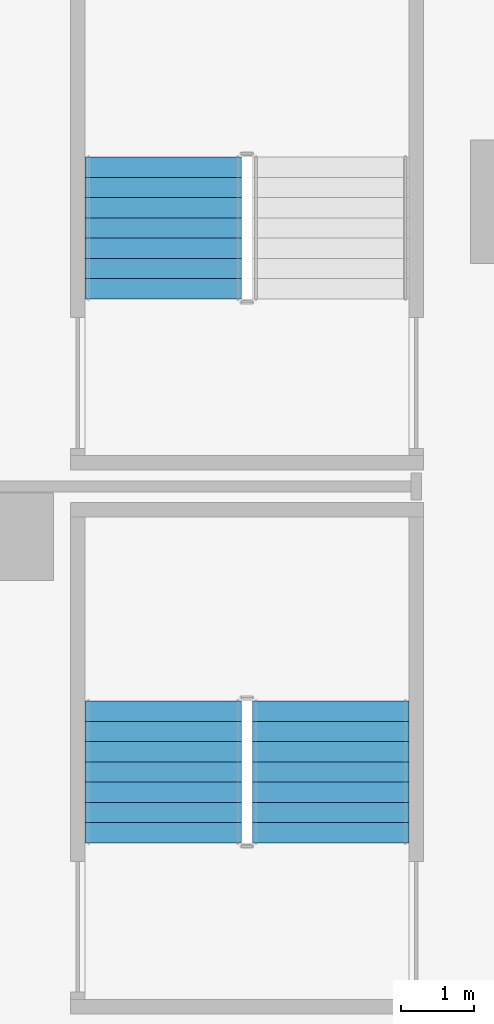
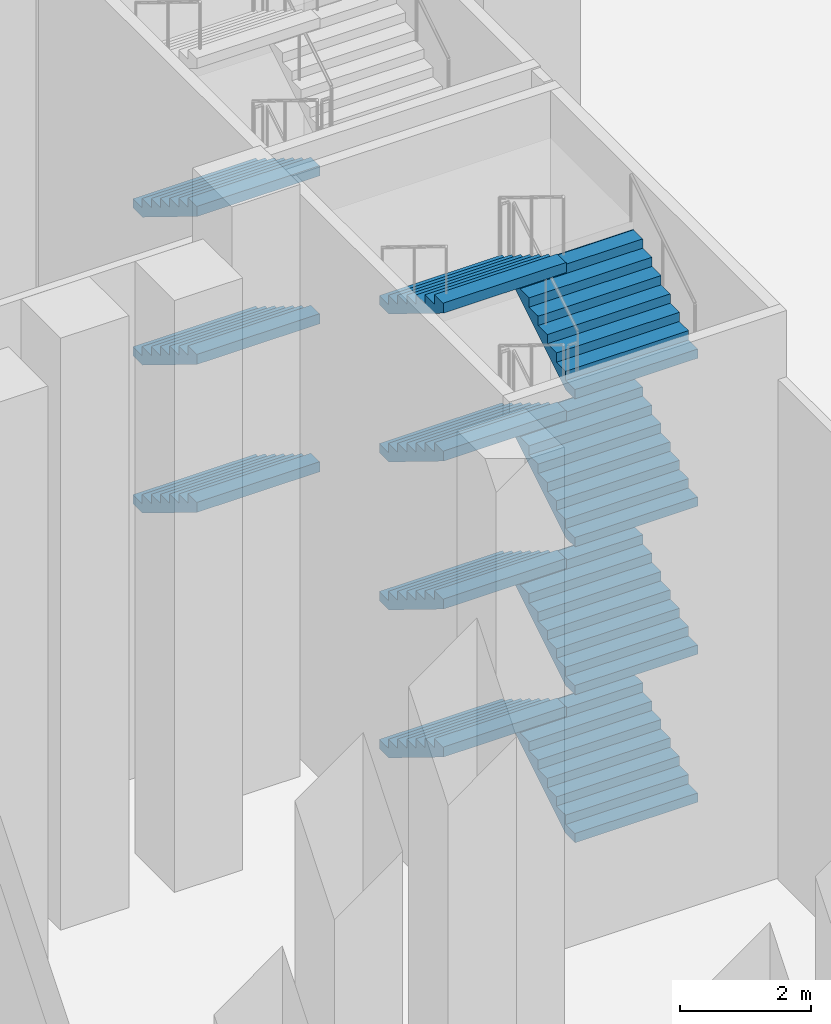
# One storey, part 13 of 31: 11 stair flights, 2 elements without a shape of their own.
"""IFC4 building model written with IfcOpenShell, lengths in metres."""

from ifc_helpers import new_model, si_unit, direction, frame, origin, place, context, subcontext, project, spatial, faceted_brep, source, transform, mapped, material, type_object, element, aggregate, save


model = new_model("IFC4")

# Units and contexts
model_context = context("Model", 3, precision=1e-05, world=origin(), true_north=direction((0.0, 1.0)))
body_context = subcontext(model_context, "Body", "Model", "MODEL_VIEW")
ifc_project = project(units=[si_unit("LENGTHUNIT", "METRE"), si_unit("AREAUNIT", "SQUARE_METRE"), si_unit("VOLUMEUNIT", "CUBIC_METRE"), si_unit("PLANEANGLEUNIT", "RADIAN"), si_unit("MASSUNIT", "GRAM", prefix="KILO")], contexts=[model_context])

# Site, building, storey
site_placement = place(None, origin())
site = spatial("IfcSite", under=ifc_project, at=site_placement, CompositionType="ELEMENT")
building_placement = place(site_placement, origin())
building = spatial("IfcBuilding", under=site, at=building_placement, Name="Calabash Gate Tower", CompositionType="ELEMENT")
storey_placement = place(building_placement, frame((0.0, 0.0, 9.0)))
storey = spatial("IfcBuildingStorey", under=building, at=storey_placement, Name="L01", CompositionType="ELEMENT", Elevation=9.0)

# Stair, stair flights
ifc_material_1 = material(Name="Concrete C40/50", Category="concrete")
stair_type = type_object("IfcStairType", Name="Public stair 64 risers of 171.9 mm", PredefinedType="HALF_TURN_STAIR", material=ifc_material_1)
stair_1_placement = place(storey_placement, origin())
stair_1 = element("IfcStair", 1, at=stair_1_placement, inside=storey, type_object=stair_type, Name="L01 Public Stair PS1", PredefinedType="HALF_TURN_STAIR")
ifc_material_2 = material(Name="Concrete C40/50", Category="concrete")
stair_flight_type = type_object("IfcStairFlightType", Name="Exit stair flight SFL", PredefinedType="STRAIGHT", material=ifc_material_2)
shared_shape = source(origin(), body_context, "Body", "Brep", [
    faceted_brep([(-0.0009765625, -1.080078125, 0.0), (0.285888671875, -1.080078125, 0.0), (1.9541015625, -1.080078125, 1.027099609375), (-0.0009765625, 1.080078125, 0.0), (1.9541015625, 1.080078125, 1.027099609375), (0.285888671875, 1.080078125, 0.0), (1.9541015625, -1.080078125, 1.215087890625), (1.952880859375, -1.080078125, 1.215087890625), (1.952880859375, 1.080078125, 1.215087890625), (1.9541015625, 1.080078125, 1.215087890625), (1.952880859375, -1.080078125, 1.203125), (1.952880859375, 1.080078125, 1.203125), (1.674072265625, -1.080078125, 1.203125), (1.674072265625, 1.080078125, 1.203125), (1.674072265625, -1.080078125, 1.03125), (1.674072265625, 1.080078125, 1.03125), (1.39501953125, -1.080078125, 1.03125), (1.39501953125, 1.080078125, 1.03125), (1.39501953125, -1.080078125, 0.859375), (1.39501953125, 1.080078125, 0.859375), (1.115966796875, -1.080078125, 0.859375), (1.115966796875, -1.080078125, 0.6875), (1.115966796875, 1.080078125, 0.6875), (1.115966796875, 1.080078125, 0.859375), (0.8369140625, -1.080078125, 0.6875), (0.8369140625, -1.080078125, 0.515625), (0.8369140625, 1.080078125, 0.515625), (0.8369140625, 1.080078125, 0.6875), (0.55810546875, -1.080078125, 0.515625), (0.55810546875, -1.080078125, 0.34375), (0.55810546875, 1.080078125, 0.34375), (0.55810546875, 1.080078125, 0.515625), (0.279052734375, -1.080078125, 0.34375), (0.279052734375, -1.080078125, 0.171875), (0.279052734375, 1.080078125, 0.171875), (0.279052734375, 1.080078125, 0.34375), (-0.0009765625, -1.080078125, 0.171875), (-0.0009765625, 1.080078125, 0.171875), (0.285888671875, -0.431884765625, 0.0), (1.9541015625, -0.431884765625, 1.027099609375), (0.285888671875, -0.370361328125, 0.0), (1.9541015625, -0.370361328125, 1.027099609375), (0.285888671875, -0.30859375, 0.0), (1.9541015625, -0.30859375, 1.027099609375), (0.285888671875, -0.246826171875, 0.0), (1.9541015625, -0.246826171875, 1.027099609375), (0.285888671875, -0.18505859375, 0.0), (1.9541015625, -0.18505859375, 1.027099609375), (0.285888671875, -0.12353515625, 0.0), (1.9541015625, -0.12353515625, 1.027099609375), (0.285888671875, -0.061767578125, 0.0), (1.9541015625, -0.061767578125, 1.027099609375), (0.285888671875, 0.0, 0.0), (1.9541015625, 0.0, 1.027099609375), (0.285888671875, 0.061767578125, 0.0), (1.9541015625, 0.061767578125, 1.027099609375), (0.285888671875, 0.12353515625, 0.0), (1.9541015625, 0.12353515625, 1.027099609375), (0.285888671875, 0.18505859375, 0.0), (1.9541015625, 0.18505859375, 1.027099609375), (0.285888671875, 0.246826171875, 0.0), (1.9541015625, 0.246826171875, 1.027099609375), (0.285888671875, 0.30859375, 0.0), (1.9541015625, 0.30859375, 1.027099609375), (0.285888671875, 0.370361328125, 0.0), (1.9541015625, 0.370361328125, 1.027099609375), (0.285888671875, 0.431884765625, 0.0), (1.9541015625, 0.431884765625, 1.027099609375), (1.9541015625, -0.431884765625, 1.215087890625), (1.9541015625, -0.370361328125, 1.215087890625), (1.9541015625, -0.30859375, 1.215087890625), (1.9541015625, -0.246826171875, 1.215087890625), (1.9541015625, -0.18505859375, 1.215087890625), (1.9541015625, -0.12353515625, 1.215087890625), (1.9541015625, -0.061767578125, 1.215087890625), (1.9541015625, 0.0, 1.215087890625), (1.9541015625, 0.061767578125, 1.215087890625), (1.9541015625, 0.12353515625, 1.215087890625), (1.9541015625, 0.18505859375, 1.215087890625), (1.9541015625, 0.246826171875, 1.215087890625), (1.9541015625, 0.30859375, 1.215087890625), (1.9541015625, 0.370361328125, 1.215087890625), (1.9541015625, 0.431884765625, 1.215087890625), (1.952880859375, -0.431884765625, 1.215087890625), (1.952880859375, -0.370361328125, 1.215087890625), (1.952880859375, -0.30859375, 1.215087890625), (1.952880859375, -0.246826171875, 1.215087890625), (1.952880859375, -0.18505859375, 1.215087890625), (1.952880859375, -0.12353515625, 1.215087890625), (1.952880859375, -0.061767578125, 1.215087890625), (1.952880859375, 0.0, 1.215087890625), (1.952880859375, 0.061767578125, 1.215087890625), (1.952880859375, 0.12353515625, 1.215087890625), (1.952880859375, 0.18505859375, 1.215087890625), (1.952880859375, 0.246826171875, 1.215087890625), (1.952880859375, 0.30859375, 1.215087890625), (1.952880859375, 0.370361328125, 1.215087890625), (1.952880859375, 0.431884765625, 1.215087890625), (1.952880859375, -0.431884765625, 1.203125), (1.952880859375, -0.370361328125, 1.203125), (1.952880859375, -0.30859375, 1.203125), (1.952880859375, -0.246826171875, 1.203125), (1.952880859375, -0.18505859375, 1.203125), (1.952880859375, -0.12353515625, 1.203125), (1.952880859375, -0.061767578125, 1.203125), (1.952880859375, 0.0, 1.203125), (1.952880859375, 0.061767578125, 1.203125), (1.952880859375, 0.12353515625, 1.203125), (1.952880859375, 0.18505859375, 1.203125), (1.952880859375, 0.246826171875, 1.203125), (1.952880859375, 0.30859375, 1.203125), (1.952880859375, 0.370361328125, 1.203125), (1.952880859375, 0.431884765625, 1.203125), (1.674072265625, -0.431884765625, 1.203125), (1.674072265625, -0.370361328125, 1.203125), (1.674072265625, -0.30859375, 1.203125), (1.674072265625, -0.246826171875, 1.203125), (1.674072265625, -0.18505859375, 1.203125), (1.674072265625, -0.12353515625, 1.203125), (1.674072265625, -0.061767578125, 1.203125), (1.674072265625, 0.0, 1.203125), (1.674072265625, 0.061767578125, 1.203125), (1.674072265625, 0.12353515625, 1.203125), (1.674072265625, 0.18505859375, 1.203125), (1.674072265625, 0.246826171875, 1.203125), (1.674072265625, 0.30859375, 1.203125), (1.674072265625, 0.370361328125, 1.203125), (1.674072265625, 0.431884765625, 1.203125), (1.674072265625, -0.431884765625, 1.03125), (1.674072265625, -0.370361328125, 1.03125), (1.674072265625, -0.30859375, 1.03125), (1.674072265625, -0.246826171875, 1.03125), (1.674072265625, -0.18505859375, 1.03125), (1.674072265625, -0.12353515625, 1.03125), (1.674072265625, -0.061767578125, 1.03125), (1.674072265625, 0.0, 1.03125), (1.674072265625, 0.061767578125, 1.03125), (1.674072265625, 0.12353515625, 1.03125), (1.674072265625, 0.18505859375, 1.03125), (1.674072265625, 0.246826171875, 1.03125), (1.674072265625, 0.30859375, 1.03125), (1.674072265625, 0.370361328125, 1.03125), (1.674072265625, 0.431884765625, 1.03125), (1.39501953125, -0.431884765625, 1.03125), (1.39501953125, -0.370361328125, 1.03125), (1.39501953125, -0.30859375, 1.03125), (1.39501953125, -0.246826171875, 1.03125), (1.39501953125, -0.18505859375, 1.03125), (1.39501953125, -0.12353515625, 1.03125), (1.39501953125, -0.061767578125, 1.03125), (1.39501953125, 0.0, 1.03125), (1.39501953125, 0.061767578125, 1.03125), (1.39501953125, 0.12353515625, 1.03125), (1.39501953125, 0.18505859375, 1.03125), (1.39501953125, 0.246826171875, 1.03125), (1.39501953125, 0.30859375, 1.03125), (1.39501953125, 0.370361328125, 1.03125), (1.39501953125, 0.431884765625, 1.03125), (1.39501953125, -0.431884765625, 0.859375), (1.39501953125, -0.370361328125, 0.859375), (1.39501953125, -0.30859375, 0.859375), (1.39501953125, -0.246826171875, 0.859375), (1.39501953125, -0.18505859375, 0.859375), (1.39501953125, -0.12353515625, 0.859375), (1.39501953125, -0.061767578125, 0.859375), (1.39501953125, 0.0, 0.859375), (1.39501953125, 0.061767578125, 0.859375), (1.39501953125, 0.12353515625, 0.859375), (1.39501953125, 0.18505859375, 0.859375), (1.39501953125, 0.246826171875, 0.859375), (1.39501953125, 0.30859375, 0.859375), (1.39501953125, 0.370361328125, 0.859375), (1.39501953125, 0.431884765625, 0.859375), (1.115966796875, -0.431884765625, 0.859375), (1.115966796875, -0.370361328125, 0.859375), (1.115966796875, -0.30859375, 0.859375), (1.115966796875, -0.246826171875, 0.859375), (1.115966796875, -0.18505859375, 0.859375), (1.115966796875, -0.12353515625, 0.859375), (1.115966796875, -0.061767578125, 0.859375), (1.115966796875, 0.0, 0.859375), (1.115966796875, 0.061767578125, 0.859375), (1.115966796875, 0.12353515625, 0.859375), (1.115966796875, 0.18505859375, 0.859375), (1.115966796875, 0.246826171875, 0.859375), (1.115966796875, 0.30859375, 0.859375), (1.115966796875, 0.370361328125, 0.859375), (1.115966796875, 0.431884765625, 0.859375), (1.115966796875, -0.431884765625, 0.6875), (1.115966796875, -0.370361328125, 0.6875), (1.115966796875, -0.30859375, 0.6875), (1.115966796875, -0.246826171875, 0.6875), (1.115966796875, -0.18505859375, 0.6875), (1.115966796875, -0.12353515625, 0.6875), (1.115966796875, -0.061767578125, 0.6875), (1.115966796875, 0.0, 0.6875), (1.115966796875, 0.061767578125, 0.6875), (1.115966796875, 0.12353515625, 0.6875), (1.115966796875, 0.18505859375, 0.6875), (1.115966796875, 0.246826171875, 0.6875), (1.115966796875, 0.30859375, 0.6875), (1.115966796875, 0.370361328125, 0.6875), (1.115966796875, 0.431884765625, 0.6875), (0.8369140625, -0.431884765625, 0.6875), (0.8369140625, -0.370361328125, 0.6875), (0.8369140625, -0.30859375, 0.6875), (0.8369140625, -0.246826171875, 0.6875), (0.8369140625, -0.18505859375, 0.6875), (0.8369140625, -0.12353515625, 0.6875), (0.8369140625, -0.061767578125, 0.6875), (0.8369140625, 0.0, 0.6875), (0.8369140625, 0.061767578125, 0.6875), (0.8369140625, 0.12353515625, 0.6875), (0.8369140625, 0.18505859375, 0.6875), (0.8369140625, 0.246826171875, 0.6875), (0.8369140625, 0.30859375, 0.6875), (0.8369140625, 0.370361328125, 0.6875), (0.8369140625, 0.431884765625, 0.6875), (0.8369140625, -0.431884765625, 0.515625), (0.8369140625, -0.370361328125, 0.515625), (0.8369140625, -0.30859375, 0.515625), (0.8369140625, -0.246826171875, 0.515625), (0.8369140625, -0.18505859375, 0.515625), (0.8369140625, -0.12353515625, 0.515625), (0.8369140625, -0.061767578125, 0.515625), (0.8369140625, 0.0, 0.515625), (0.8369140625, 0.061767578125, 0.515625), (0.8369140625, 0.12353515625, 0.515625), (0.8369140625, 0.18505859375, 0.515625), (0.8369140625, 0.246826171875, 0.515625), (0.8369140625, 0.30859375, 0.515625), (0.8369140625, 0.370361328125, 0.515625), (0.8369140625, 0.431884765625, 0.515625), (0.55810546875, -0.431884765625, 0.515625), (0.55810546875, -0.370361328125, 0.515625), (0.55810546875, -0.30859375, 0.515625), (0.55810546875, -0.246826171875, 0.515625), (0.55810546875, -0.18505859375, 0.515625), (0.55810546875, -0.12353515625, 0.515625), (0.55810546875, -0.061767578125, 0.515625), (0.55810546875, 0.0, 0.515625), (0.55810546875, 0.061767578125, 0.515625), (0.55810546875, 0.12353515625, 0.515625), (0.55810546875, 0.18505859375, 0.515625), (0.55810546875, 0.246826171875, 0.515625), (0.55810546875, 0.30859375, 0.515625), (0.55810546875, 0.370361328125, 0.515625), (0.55810546875, 0.431884765625, 0.515625), (0.55810546875, -0.431884765625, 0.34375), (0.55810546875, -0.370361328125, 0.34375), (0.55810546875, -0.30859375, 0.34375), (0.55810546875, -0.246826171875, 0.34375), (0.55810546875, -0.18505859375, 0.34375), (0.55810546875, -0.12353515625, 0.34375), (0.55810546875, -0.061767578125, 0.34375), (0.55810546875, 0.0, 0.34375), (0.55810546875, 0.061767578125, 0.34375), (0.55810546875, 0.12353515625, 0.34375), (0.55810546875, 0.18505859375, 0.34375), (0.55810546875, 0.246826171875, 0.34375), (0.55810546875, 0.30859375, 0.34375), (0.55810546875, 0.370361328125, 0.34375), (0.55810546875, 0.431884765625, 0.34375), (0.279052734375, -0.431884765625, 0.34375), (0.279052734375, -0.370361328125, 0.34375), (0.279052734375, -0.30859375, 0.34375), (0.279052734375, -0.246826171875, 0.34375), (0.279052734375, -0.18505859375, 0.34375), (0.279052734375, -0.12353515625, 0.34375), (0.279052734375, -0.061767578125, 0.34375), (0.279052734375, 0.0, 0.34375), (0.279052734375, 0.061767578125, 0.34375), (0.279052734375, 0.12353515625, 0.34375), (0.279052734375, 0.18505859375, 0.34375), (0.279052734375, 0.246826171875, 0.34375), (0.279052734375, 0.30859375, 0.34375), (0.279052734375, 0.370361328125, 0.34375), (0.279052734375, 0.431884765625, 0.34375), (0.279052734375, -0.431884765625, 0.171875), (0.279052734375, -0.370361328125, 0.171875), (0.279052734375, -0.30859375, 0.171875), (0.279052734375, -0.246826171875, 0.171875), (0.279052734375, -0.18505859375, 0.171875), (0.279052734375, -0.12353515625, 0.171875), (0.279052734375, -0.061767578125, 0.171875), (0.279052734375, 0.0, 0.171875), (0.279052734375, 0.061767578125, 0.171875), (0.279052734375, 0.12353515625, 0.171875), (0.279052734375, 0.18505859375, 0.171875), (0.279052734375, 0.246826171875, 0.171875), (0.279052734375, 0.30859375, 0.171875), (0.279052734375, 0.370361328125, 0.171875), (0.279052734375, 0.431884765625, 0.171875), (-0.0009765625, -0.431884765625, 0.171875), (-0.0009765625, -0.370361328125, 0.171875), (-0.0009765625, -0.30859375, 0.171875), (-0.0009765625, -0.246826171875, 0.171875), (-0.0009765625, -0.18505859375, 0.171875), (-0.0009765625, -0.12353515625, 0.171875), (-0.0009765625, -0.061767578125, 0.171875), (-0.0009765625, 0.0, 0.171875), (-0.0009765625, 0.061767578125, 0.171875), (-0.0009765625, 0.12353515625, 0.171875), (-0.0009765625, 0.18505859375, 0.171875), (-0.0009765625, 0.246826171875, 0.171875), (-0.0009765625, 0.30859375, 0.171875), (-0.0009765625, 0.370361328125, 0.171875), (-0.0009765625, 0.431884765625, 0.171875), (-0.0009765625, -0.431884765625, 0.0), (-0.0009765625, -0.370361328125, 0.0), (-0.0009765625, -0.30859375, 0.0), (-0.0009765625, -0.246826171875, 0.0), (-0.0009765625, -0.18505859375, 0.0), (-0.0009765625, -0.12353515625, 0.0), (-0.0009765625, -0.061767578125, 0.0), (-0.0009765625, 0.0, 0.0), (-0.0009765625, 0.061767578125, 0.0), (-0.0009765625, 0.12353515625, 0.0), (-0.0009765625, 0.18505859375, 0.0), (-0.0009765625, 0.246826171875, 0.0), (-0.0009765625, 0.30859375, 0.0), (-0.0009765625, 0.370361328125, 0.0), (-0.0009765625, 0.431884765625, 0.0)], [[[0, 1, 2]], [[3, 4, 5]], [[2, 6, 7]], [[4, 8, 9]], [[2, 7, 10]], [[4, 11, 8]], [[2, 10, 12]], [[4, 13, 11]], [[2, 12, 14]], [[4, 15, 13]], [[2, 14, 16]], [[4, 17, 15]], [[2, 16, 18]], [[4, 19, 17]], [[18, 20, 21]], [[19, 22, 23]], [[2, 18, 21]], [[4, 22, 19]], [[21, 24, 25]], [[22, 26, 27]], [[2, 21, 25]], [[4, 26, 22]], [[25, 28, 29]], [[26, 30, 31]], [[2, 25, 29]], [[4, 30, 26]], [[29, 32, 33]], [[30, 34, 35]], [[2, 29, 33]], [[4, 34, 30]], [[0, 2, 33]], [[3, 34, 4]], [[33, 36, 0]], [[34, 3, 37]], [[1, 38, 2]], [[38, 39, 2]], [[38, 40, 39]], [[40, 41, 39]], [[40, 42, 41]], [[42, 43, 41]], [[42, 44, 43]], [[44, 45, 43]], [[44, 46, 45]], [[46, 47, 45]], [[46, 48, 47]], [[48, 49, 47]], [[48, 50, 49]], [[50, 51, 49]], [[50, 52, 51]], [[52, 53, 51]], [[52, 54, 55]], [[52, 55, 53]], [[54, 56, 57]], [[54, 57, 55]], [[56, 58, 59]], [[56, 59, 57]], [[58, 60, 61]], [[58, 61, 59]], [[60, 62, 63]], [[60, 63, 61]], [[62, 64, 65]], [[62, 65, 63]], [[64, 66, 67]], [[64, 67, 65]], [[66, 5, 4]], [[66, 4, 67]], [[2, 39, 6]], [[39, 68, 6]], [[39, 41, 68]], [[41, 69, 68]], [[41, 43, 69]], [[43, 70, 69]], [[43, 45, 70]], [[45, 71, 70]], [[45, 47, 71]], [[47, 72, 71]], [[47, 49, 72]], [[49, 73, 72]], [[49, 51, 73]], [[51, 74, 73]], [[51, 53, 74]], [[53, 75, 74]], [[53, 55, 76]], [[53, 76, 75]], [[55, 57, 77]], [[55, 77, 76]], [[57, 59, 78]], [[57, 78, 77]], [[59, 61, 79]], [[59, 79, 78]], [[61, 63, 80]], [[61, 80, 79]], [[63, 65, 81]], [[63, 81, 80]], [[65, 67, 82]], [[65, 82, 81]], [[67, 4, 9]], [[67, 9, 82]], [[6, 68, 7]], [[68, 83, 7]], [[68, 69, 83]], [[69, 84, 83]], [[69, 70, 84]], [[70, 85, 84]], [[70, 71, 85]], [[71, 86, 85]], [[71, 72, 86]], [[72, 87, 86]], [[72, 73, 87]], [[73, 88, 87]], [[73, 74, 88]], [[74, 89, 88]], [[74, 75, 89]], [[75, 90, 89]], [[75, 76, 91]], [[75, 91, 90]], [[76, 77, 92]], [[76, 92, 91]], [[77, 78, 93]], [[77, 93, 92]], [[78, 79, 94]], [[78, 94, 93]], [[79, 80, 95]], [[79, 95, 94]], [[80, 81, 96]], [[80, 96, 95]], [[81, 82, 97]], [[81, 97, 96]], [[82, 9, 8]], [[82, 8, 97]], [[7, 83, 10]], [[83, 98, 10]], [[83, 84, 98]], [[84, 99, 98]], [[84, 85, 99]], [[85, 100, 99]], [[85, 86, 100]], [[86, 101, 100]], [[86, 87, 101]], [[87, 102, 101]], [[87, 88, 102]], [[88, 103, 102]], [[88, 89, 103]], [[89, 104, 103]], [[89, 90, 104]], [[90, 105, 104]], [[90, 91, 106]], [[90, 106, 105]], [[91, 92, 107]], [[91, 107, 106]], [[92, 93, 108]], [[92, 108, 107]], [[93, 94, 109]], [[93, 109, 108]], [[94, 95, 110]], [[94, 110, 109]], [[95, 96, 111]], [[95, 111, 110]], [[96, 97, 112]], [[96, 112, 111]], [[97, 8, 11]], [[97, 11, 112]], [[10, 98, 12]], [[98, 113, 12]], [[98, 99, 113]], [[99, 114, 113]], [[99, 100, 114]], [[100, 115, 114]], [[100, 101, 115]], [[101, 116, 115]], [[101, 102, 116]], [[102, 117, 116]], [[102, 103, 117]], [[103, 118, 117]], [[103, 104, 118]], [[104, 119, 118]], [[104, 105, 119]], [[105, 120, 119]], [[105, 106, 121]], [[105, 121, 120]], [[106, 107, 122]], [[106, 122, 121]], [[107, 108, 123]], [[107, 123, 122]], [[108, 109, 124]], [[108, 124, 123]], [[109, 110, 125]], [[109, 125, 124]], [[110, 111, 126]], [[110, 126, 125]], [[111, 112, 127]], [[111, 127, 126]], [[112, 11, 13]], [[112, 13, 127]], [[12, 113, 14]], [[113, 128, 14]], [[113, 114, 128]], [[114, 129, 128]], [[114, 115, 129]], [[115, 130, 129]], [[115, 116, 130]], [[116, 131, 130]], [[116, 117, 131]], [[117, 132, 131]], [[117, 118, 132]], [[118, 133, 132]], [[118, 119, 133]], [[119, 134, 133]], [[119, 120, 134]], [[120, 135, 134]], [[120, 121, 136]], [[120, 136, 135]], [[121, 122, 137]], [[121, 137, 136]], [[122, 123, 138]], [[122, 138, 137]], [[123, 124, 139]], [[123, 139, 138]], [[124, 125, 140]], [[124, 140, 139]], [[125, 126, 141]], [[125, 141, 140]], [[126, 127, 142]], [[126, 142, 141]], [[127, 13, 15]], [[127, 15, 142]], [[14, 128, 16]], [[128, 143, 16]], [[128, 129, 143]], [[129, 144, 143]], [[129, 130, 144]], [[130, 145, 144]], [[130, 131, 145]], [[131, 146, 145]], [[131, 132, 146]], [[132, 147, 146]], [[132, 133, 147]], [[133, 148, 147]], [[133, 134, 148]], [[134, 149, 148]], [[134, 135, 149]], [[135, 150, 149]], [[135, 136, 151]], [[135, 151, 150]], [[136, 137, 152]], [[136, 152, 151]], [[137, 138, 153]], [[137, 153, 152]], [[138, 139, 154]], [[138, 154, 153]], [[139, 140, 155]], [[139, 155, 154]], [[140, 141, 156]], [[140, 156, 155]], [[141, 142, 157]], [[141, 157, 156]], [[142, 15, 17]], [[142, 17, 157]], [[16, 143, 18]], [[143, 158, 18]], [[143, 144, 158]], [[144, 159, 158]], [[144, 145, 159]], [[145, 160, 159]], [[145, 146, 160]], [[146, 161, 160]], [[146, 147, 161]], [[147, 162, 161]], [[147, 148, 162]], [[148, 163, 162]], [[148, 149, 163]], [[149, 164, 163]], [[149, 150, 164]], [[150, 165, 164]], [[150, 151, 166]], [[150, 166, 165]], [[151, 152, 167]], [[151, 167, 166]], [[152, 153, 168]], [[152, 168, 167]], [[153, 154, 169]], [[153, 169, 168]], [[154, 155, 170]], [[154, 170, 169]], [[155, 156, 171]], [[155, 171, 170]], [[156, 157, 172]], [[156, 172, 171]], [[157, 17, 19]], [[157, 19, 172]], [[18, 158, 20]], [[158, 173, 20]], [[158, 159, 173]], [[159, 174, 173]], [[159, 160, 174]], [[160, 175, 174]], [[160, 161, 175]], [[161, 176, 175]], [[161, 162, 176]], [[162, 177, 176]], [[162, 163, 177]], [[163, 178, 177]], [[163, 164, 178]], [[164, 179, 178]], [[164, 165, 179]], [[165, 180, 179]], [[165, 166, 181]], [[165, 181, 180]], [[166, 167, 182]], [[166, 182, 181]], [[167, 168, 183]], [[167, 183, 182]], [[168, 169, 184]], [[168, 184, 183]], [[169, 170, 185]], [[169, 185, 184]], [[170, 171, 186]], [[170, 186, 185]], [[171, 172, 187]], [[171, 187, 186]], [[172, 19, 23]], [[172, 23, 187]], [[20, 173, 21]], [[173, 188, 21]], [[173, 174, 188]], [[174, 189, 188]], [[174, 175, 189]], [[175, 190, 189]], [[175, 176, 190]], [[176, 191, 190]], [[176, 177, 191]], [[177, 192, 191]], [[177, 178, 192]], [[178, 193, 192]], [[178, 179, 193]], [[179, 194, 193]], [[179, 180, 194]], [[180, 195, 194]], [[180, 181, 196]], [[180, 196, 195]], [[181, 182, 197]], [[181, 197, 196]], [[182, 183, 198]], [[182, 198, 197]], [[183, 184, 199]], [[183, 199, 198]], [[184, 185, 200]], [[184, 200, 199]], [[185, 186, 201]], [[185, 201, 200]], [[186, 187, 202]], [[186, 202, 201]], [[187, 23, 22]], [[187, 22, 202]], [[21, 188, 24]], [[188, 203, 24]], [[188, 189, 203]], [[189, 204, 203]], [[189, 190, 204]], [[190, 205, 204]], [[190, 191, 205]], [[191, 206, 205]], [[191, 192, 206]], [[192, 207, 206]], [[192, 193, 207]], [[193, 208, 207]], [[193, 194, 208]], [[194, 209, 208]], [[194, 195, 209]], [[195, 210, 209]], [[195, 196, 211]], [[195, 211, 210]], [[196, 197, 212]], [[196, 212, 211]], [[197, 198, 213]], [[197, 213, 212]], [[198, 199, 214]], [[198, 214, 213]], [[199, 200, 215]], [[199, 215, 214]], [[200, 201, 216]], [[200, 216, 215]], [[201, 202, 217]], [[201, 217, 216]], [[202, 22, 27]], [[202, 27, 217]], [[24, 203, 25]], [[203, 218, 25]], [[203, 204, 218]], [[204, 219, 218]], [[204, 205, 219]], [[205, 220, 219]], [[205, 206, 220]], [[206, 221, 220]], [[206, 207, 221]], [[207, 222, 221]], [[207, 208, 222]], [[208, 223, 222]], [[208, 209, 223]], [[209, 224, 223]], [[209, 210, 224]], [[210, 225, 224]], [[210, 211, 226]], [[210, 226, 225]], [[211, 212, 227]], [[211, 227, 226]], [[212, 213, 228]], [[212, 228, 227]], [[213, 214, 229]], [[213, 229, 228]], [[214, 215, 230]], [[214, 230, 229]], [[215, 216, 231]], [[215, 231, 230]], [[216, 217, 232]], [[216, 232, 231]], [[217, 27, 26]], [[217, 26, 232]], [[25, 218, 28]], [[218, 233, 28]], [[218, 219, 233]], [[219, 234, 233]], [[219, 220, 234]], [[220, 235, 234]], [[220, 221, 235]], [[221, 236, 235]], [[221, 222, 236]], [[222, 237, 236]], [[222, 223, 237]], [[223, 238, 237]], [[223, 224, 238]], [[224, 239, 238]], [[224, 225, 239]], [[225, 240, 239]], [[225, 226, 241]], [[225, 241, 240]], [[226, 227, 242]], [[226, 242, 241]], [[227, 228, 243]], [[227, 243, 242]], [[228, 229, 244]], [[228, 244, 243]], [[229, 230, 245]], [[229, 245, 244]], [[230, 231, 246]], [[230, 246, 245]], [[231, 232, 247]], [[231, 247, 246]], [[232, 26, 31]], [[232, 31, 247]], [[28, 233, 29]], [[233, 248, 29]], [[233, 234, 248]], [[234, 249, 248]], [[234, 235, 249]], [[235, 250, 249]], [[235, 236, 250]], [[236, 251, 250]], [[236, 237, 251]], [[237, 252, 251]], [[237, 238, 252]], [[238, 253, 252]], [[238, 239, 253]], [[239, 254, 253]], [[239, 240, 254]], [[240, 255, 254]], [[240, 241, 256]], [[240, 256, 255]], [[241, 242, 257]], [[241, 257, 256]], [[242, 243, 258]], [[242, 258, 257]], [[243, 244, 259]], [[243, 259, 258]], [[244, 245, 260]], [[244, 260, 259]], [[245, 246, 261]], [[245, 261, 260]], [[246, 247, 262]], [[246, 262, 261]], [[247, 31, 30]], [[247, 30, 262]], [[29, 248, 32]], [[248, 263, 32]], [[248, 249, 263]], [[249, 264, 263]], [[249, 250, 264]], [[250, 265, 264]], [[250, 251, 265]], [[251, 266, 265]], [[251, 252, 266]], [[252, 267, 266]], [[252, 253, 267]], [[253, 268, 267]], [[253, 254, 268]], [[254, 269, 268]], [[254, 255, 269]], [[255, 270, 269]], [[255, 256, 271]], [[255, 271, 270]], [[256, 257, 272]], [[256, 272, 271]], [[257, 258, 273]], [[257, 273, 272]], [[258, 259, 274]], [[258, 274, 273]], [[259, 260, 275]], [[259, 275, 274]], [[260, 261, 276]], [[260, 276, 275]], [[261, 262, 277]], [[261, 277, 276]], [[262, 30, 35]], [[262, 35, 277]], [[32, 263, 33]], [[263, 278, 33]], [[263, 264, 278]], [[264, 279, 278]], [[264, 265, 279]], [[265, 280, 279]], [[265, 266, 280]], [[266, 281, 280]], [[266, 267, 281]], [[267, 282, 281]], [[267, 268, 282]], [[268, 283, 282]], [[268, 269, 283]], [[269, 284, 283]], [[269, 270, 284]], [[270, 285, 284]], [[270, 271, 286]], [[270, 286, 285]], [[271, 272, 287]], [[271, 287, 286]], [[272, 273, 288]], [[272, 288, 287]], [[273, 274, 289]], [[273, 289, 288]], [[274, 275, 290]], [[274, 290, 289]], [[275, 276, 291]], [[275, 291, 290]], [[276, 277, 292]], [[276, 292, 291]], [[277, 35, 34]], [[277, 34, 292]], [[33, 278, 36]], [[278, 293, 36]], [[278, 279, 293]], [[279, 294, 293]], [[279, 280, 294]], [[280, 295, 294]], [[280, 281, 295]], [[281, 296, 295]], [[281, 282, 296]], [[282, 297, 296]], [[282, 283, 297]], [[283, 298, 297]], [[283, 284, 298]], [[284, 299, 298]], [[284, 285, 299]], [[285, 300, 299]], [[285, 286, 301]], [[285, 301, 300]], [[286, 287, 302]], [[286, 302, 301]], [[287, 288, 303]], [[287, 303, 302]], [[288, 289, 304]], [[288, 304, 303]], [[289, 290, 305]], [[289, 305, 304]], [[290, 291, 306]], [[290, 306, 305]], [[291, 292, 307]], [[291, 307, 306]], [[292, 34, 37]], [[292, 37, 307]], [[36, 293, 0]], [[293, 308, 0]], [[293, 294, 308]], [[294, 309, 308]], [[294, 295, 309]], [[295, 310, 309]], [[295, 296, 310]], [[296, 311, 310]], [[296, 297, 311]], [[297, 312, 311]], [[297, 298, 312]], [[298, 313, 312]], [[298, 299, 313]], [[299, 314, 313]], [[299, 300, 314]], [[300, 315, 314]], [[300, 301, 316]], [[300, 316, 315]], [[301, 302, 317]], [[301, 317, 316]], [[302, 303, 318]], [[302, 318, 317]], [[303, 304, 319]], [[303, 319, 318]], [[304, 305, 320]], [[304, 320, 319]], [[305, 306, 321]], [[305, 321, 320]], [[306, 307, 322]], [[306, 322, 321]], [[307, 37, 3]], [[307, 3, 322]], [[0, 308, 1]], [[308, 38, 1]], [[308, 309, 38]], [[309, 40, 38]], [[309, 310, 40]], [[310, 42, 40]], [[310, 311, 42]], [[311, 44, 42]], [[311, 312, 44]], [[312, 46, 44]], [[312, 313, 46]], [[313, 48, 46]], [[313, 314, 48]], [[314, 50, 48]], [[314, 315, 50]], [[315, 52, 50]], [[315, 316, 54]], [[315, 54, 52]], [[316, 317, 56]], [[316, 56, 54]], [[317, 318, 58]], [[317, 58, 56]], [[318, 319, 60]], [[318, 60, 58]], [[319, 320, 62]], [[319, 62, 60]], [[320, 321, 64]], [[320, 64, 62]], [[321, 322, 66]], [[321, 66, 64]], [[322, 3, 5]], [[322, 5, 66]]]),
])
stair_flight_1_placement = place(storey_placement, frame((-34.780029296875, -32.840087890625, 0.0), z_axis=(0.0, 0.0, 1.0), x_axis=(0.0, 1.0, 0.0)))
stair_flight_1 = element("IfcStairFlight", 2, at=stair_flight_1_placement, type_object=stair_flight_type, Name="PS1 flight 1", NumberOfRisers=8, NumberOfTreads=7, PredefinedType="STRAIGHT", RiserHeight=0.171875, TreadLength=0.279, context=body_context, shape_type="MappedRepresentation", body=[
    mapped(shared_shape, transform((0.0, 0.0, 0.0), scale=1.0)),
])
stair_flight_2_placement = place(storey_placement, frame((-37.090087890625, -30.886962890625, 1.375), z_axis=(0.0, 0.0, 1.0), x_axis=(0.0, -1.0, 0.0)))
stair_flight_2 = element("IfcStairFlight", 3, at=stair_flight_2_placement, type_object=stair_flight_type, Name="PS1 flight 2", NumberOfRisers=8, NumberOfTreads=7, PredefinedType="STRAIGHT", RiserHeight=0.171875, TreadLength=0.279, context=body_context, shape_type="MappedRepresentation", body=[
    mapped(shared_shape, transform((0.0, 0.0, 0.0), scale=1.0)),
])
stair_flight_3_placement = place(storey_placement, frame((-34.780029296875, -32.840087890625, 2.75), z_axis=(0.0, 0.0, 1.0), x_axis=(0.0, 1.0, 0.0)))
stair_flight_3 = element("IfcStairFlight", 4, at=stair_flight_3_placement, type_object=stair_flight_type, Name="PS1 flight 3", NumberOfRisers=8, NumberOfTreads=7, PredefinedType="STRAIGHT", RiserHeight=0.171875, TreadLength=0.279, context=body_context, shape_type="MappedRepresentation", body=[
    mapped(shared_shape, transform((0.0, 0.0, 0.0), scale=1.0)),
])
stair_flight_4_placement = place(storey_placement, frame((-37.090087890625, -30.886962890625, 4.125), z_axis=(0.0, 0.0, 1.0), x_axis=(0.0, -1.0, 0.0)))
stair_flight_4 = element("IfcStairFlight", 5, at=stair_flight_4_placement, type_object=stair_flight_type, Name="PS1 flight 4", NumberOfRisers=8, NumberOfTreads=7, PredefinedType="STRAIGHT", RiserHeight=0.171875, TreadLength=0.279, context=body_context, shape_type="MappedRepresentation", body=[
    mapped(shared_shape, transform((0.0, 0.0, 0.0), scale=1.0)),
])
stair_flight_5_placement = place(storey_placement, frame((-34.780029296875, -32.840087890625, 5.5), z_axis=(0.0, 0.0, 1.0), x_axis=(0.0, 1.0, 0.0)))
stair_flight_5 = element("IfcStairFlight", 6, at=stair_flight_5_placement, type_object=stair_flight_type, Name="PS1 flight 5", NumberOfRisers=8, NumberOfTreads=7, PredefinedType="STRAIGHT", RiserHeight=0.171875, TreadLength=0.279, context=body_context, shape_type="MappedRepresentation", body=[
    mapped(shared_shape, transform((0.0, 0.0, 0.0), scale=1.0)),
])
stair_flight_6_placement = place(storey_placement, frame((-37.090087890625, -30.886962890625, 6.875), z_axis=(0.0, 0.0, 1.0), x_axis=(0.0, -1.0, 0.0)))
stair_flight_6 = element("IfcStairFlight", 7, at=stair_flight_6_placement, type_object=stair_flight_type, Name="PS1 flight 6", NumberOfRisers=8, NumberOfTreads=7, PredefinedType="STRAIGHT", RiserHeight=0.171875, TreadLength=0.279, context=body_context, shape_type="MappedRepresentation", body=[
    mapped(shared_shape, transform((0.0, 0.0, 0.0), scale=1.0)),
])
stair_flight_7_placement = place(storey_placement, frame((-34.780029296875, -32.840087890625, 8.25), z_axis=(0.0, 0.0, 1.0), x_axis=(0.0, 1.0, 0.0)))
stair_flight_7 = element("IfcStairFlight", 8, at=stair_flight_7_placement, type_object=stair_flight_type, Name="PS1 flight 7", NumberOfRisers=8, NumberOfTreads=7, PredefinedType="STRAIGHT", RiserHeight=0.171875, TreadLength=0.279, context=body_context, shape_type="MappedRepresentation", body=[
    mapped(shared_shape, transform((0.0, 0.0, 0.0), scale=1.0)),
])
stair_flight_8_placement = place(storey_placement, frame((-37.090087890625, -30.886962890625, 9.625), z_axis=(0.0, 0.0, 1.0), x_axis=(0.0, -1.0, 0.0)))
stair_flight_8 = element("IfcStairFlight", 9, at=stair_flight_8_placement, type_object=stair_flight_type, Name="PS1 flight 8", NumberOfRisers=8, NumberOfTreads=7, PredefinedType="STRAIGHT", RiserHeight=0.171875, TreadLength=0.279, context=body_context, shape_type="MappedRepresentation", body=[
    mapped(shared_shape, transform((0.0, 0.0, 0.0), scale=1.0)),
])
aggregate(stair_1, [stair_flight_1, stair_flight_2, stair_flight_3, stair_flight_4, stair_flight_5, stair_flight_6, stair_flight_7, stair_flight_8])

stair_2_placement = place(storey_placement, origin())
stair_2 = element("IfcStair", 10, at=stair_2_placement, inside=storey, type_object=stair_type, Name="L01 Public Stair PS2", PredefinedType="HALF_TURN_STAIR")
stair_flight_9_placement = place(storey_placement, frame((-37.090087890625, -23.386962890625, 1.375), z_axis=(0.0, 0.0, 1.0), x_axis=(0.0, -1.0, 0.0)))
stair_flight_9 = element("IfcStairFlight", 11, at=stair_flight_9_placement, type_object=stair_flight_type, Name="PS2 flight 2", NumberOfRisers=8, NumberOfTreads=7, PredefinedType="STRAIGHT", RiserHeight=0.171875, TreadLength=0.279, context=body_context, shape_type="MappedRepresentation", body=[
    mapped(shared_shape, transform((0.0, 0.0, 0.0), scale=1.0)),
])
stair_flight_10_placement = place(storey_placement, frame((-37.090087890625, -23.386962890625, 4.125), z_axis=(0.0, 0.0, 1.0), x_axis=(0.0, -1.0, 0.0)))
stair_flight_10 = element("IfcStairFlight", 12, at=stair_flight_10_placement, type_object=stair_flight_type, Name="PS2 flight 4", NumberOfRisers=8, NumberOfTreads=7, PredefinedType="STRAIGHT", RiserHeight=0.171875, TreadLength=0.279, context=body_context, shape_type="MappedRepresentation", body=[
    mapped(shared_shape, transform((0.0, 0.0, 0.0), scale=1.0)),
])
stair_flight_11_placement = place(storey_placement, frame((-37.090087890625, -23.386962890625, 6.875), z_axis=(0.0, 0.0, 1.0), x_axis=(0.0, -1.0, 0.0)))
stair_flight_11 = element("IfcStairFlight", 13, at=stair_flight_11_placement, type_object=stair_flight_type, Name="PS2 flight 6", NumberOfRisers=8, NumberOfTreads=7, PredefinedType="STRAIGHT", RiserHeight=0.171875, TreadLength=0.279, context=body_context, shape_type="MappedRepresentation", body=[
    mapped(shared_shape, transform((0.0, 0.0, 0.0), scale=1.0)),
])
aggregate(stair_2, [stair_flight_9, stair_flight_10, stair_flight_11])

save(model, "model.ifc")
